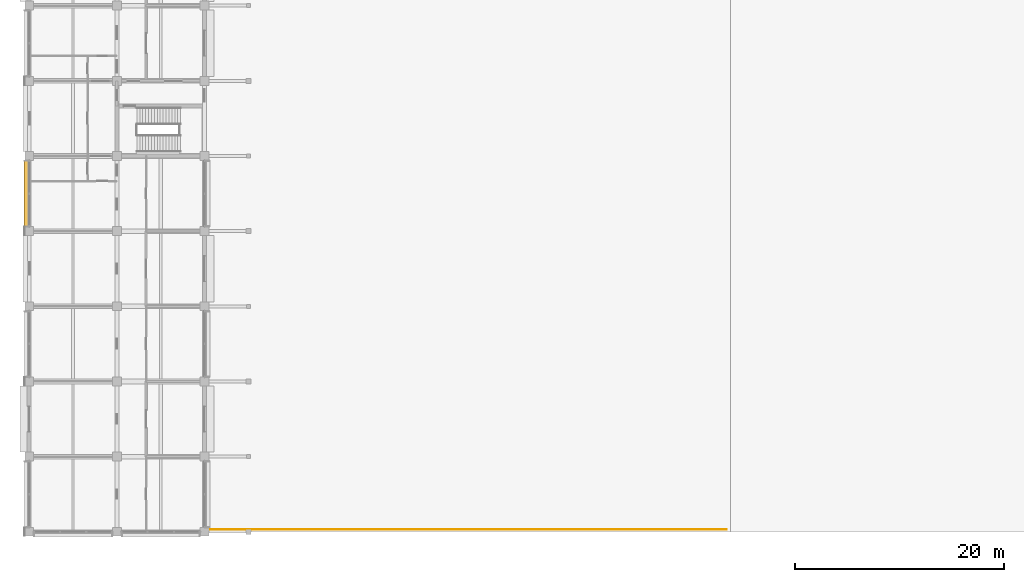
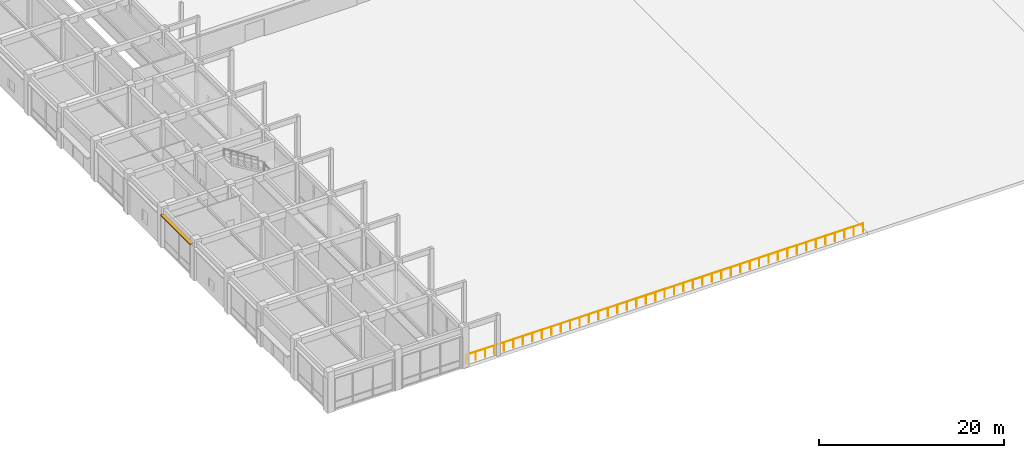
# One storey, part 63 of 73: 1 railing, 1 shading device.
"""IFC4 building model written with IfcOpenShell, lengths in metres."""

from ifc_helpers import new_model, si_unit, direction, frame, origin, origin_2d, place, context, subcontext, project, spatial, rectangle, circle, extrude, material, type_object, element, save


model = new_model("IFC4")

# Units and contexts
model_context = context("Model", 3, precision=1e-05, world=origin(), true_north=direction((0.0, 1.0)))
body_context = subcontext(model_context, "Body", "Model", "MODEL_VIEW")
ifc_project = project(units=[si_unit("LENGTHUNIT", "METRE"), si_unit("AREAUNIT", "SQUARE_METRE"), si_unit("VOLUMEUNIT", "CUBIC_METRE"), si_unit("PLANEANGLEUNIT", "RADIAN"), si_unit("MASSUNIT", "GRAM", prefix="KILO")], contexts=[model_context])

# Site, building, storey
site_placement = place(None, origin())
site = spatial("IfcSite", under=ifc_project, at=site_placement, CompositionType="ELEMENT")
building_placement = place(site_placement, origin())
building = spatial("IfcBuilding", under=site, at=building_placement, Name="Chengyuan Square Courthouse", CompositionType="ELEMENT")
storey_placement = place(building_placement, origin())
storey = spatial("IfcBuildingStorey", under=building, at=storey_placement, Name="L01", CompositionType="ELEMENT", Elevation=0.0)

# Railing
ifc_material_1 = material(Name="Stainless Steel S30408 and Laminated Glass Balustrade", Category="steel")
railing_type = type_object("IfcRailingType", Name="RL-01", PredefinedType="BALUSTRADE", material=ifc_material_1)
railing_placement = place(storey_placement, frame((17.25, 0.219970703125, 0.0)))
element("IfcRailing", 1, at=railing_placement, inside=storey, type_object=railing_type, Name="Civic Forecourt Perimeter Balustrade RL-FC-SW", PredefinedType="BALUSTRADE", context=body_context, shape_type="SweptSolid", body=[
    extrude(circle(Radius=0.02392578125, at=origin_2d()), frame((0.0, 0.0, 1.17578125), z_axis=(1.0, 0.0, 0.0), x_axis=(0.0, 1.0, 0.0)), (0.0, 0.0, 1.0), 49.550048828125),
    extrude(circle(Radius=0.02099609375, at=origin_2d()), origin(), (0.0, 0.0, 1.0), 1.15185546875),
    extrude(circle(Radius=0.02099609375, at=origin_2d()), frame((1.1796875, 0.0, 0.0)), (0.0, 0.0, 1.0), 1.15185546875),
    extrude(circle(Radius=0.02099609375, at=origin_2d()), frame((2.359619140625, 0.0, 0.0)), (0.0, 0.0, 1.0), 1.15185546875),
    extrude(circle(Radius=0.02099609375, at=origin_2d()), frame((3.539306640625, 0.0, 0.0)), (0.0, 0.0, 1.0), 1.15185546875),
    extrude(circle(Radius=0.02099609375, at=origin_2d()), frame((4.718994140625, 0.0, 0.0)), (0.0, 0.0, 1.0), 1.15185546875),
    extrude(circle(Radius=0.02099609375, at=origin_2d()), frame((5.89892578125, 0.0, 0.0)), (0.0, 0.0, 1.0), 1.15185546875),
    extrude(circle(Radius=0.02099609375, at=origin_2d()), frame((7.07861328125, 0.0, 0.0)), (0.0, 0.0, 1.0), 1.15185546875),
    extrude(circle(Radius=0.02099609375, at=origin_2d()), frame((8.25830078125, 0.0, 0.0)), (0.0, 0.0, 1.0), 1.15185546875),
    extrude(circle(Radius=0.02099609375, at=origin_2d()), frame((9.43798828125, 0.0, 0.0)), (0.0, 0.0, 1.0), 1.15185546875),
    extrude(circle(Radius=0.02099609375, at=origin_2d()), frame((10.617919921875, 0.0, 0.0)), (0.0, 0.0, 1.0), 1.15185546875),
    extrude(circle(Radius=0.02099609375, at=origin_2d()), frame((11.797607421875, 0.0, 0.0)), (0.0, 0.0, 1.0), 1.15185546875),
    extrude(circle(Radius=0.02099609375, at=origin_2d()), frame((12.977294921875, 0.0, 0.0)), (0.0, 0.0, 1.0), 1.15185546875),
    extrude(circle(Radius=0.02099609375, at=origin_2d()), frame((14.1572265625, 0.0, 0.0)), (0.0, 0.0, 1.0), 1.15185546875),
    extrude(circle(Radius=0.02099609375, at=origin_2d()), frame((15.3369140625, 0.0, 0.0)), (0.0, 0.0, 1.0), 1.15185546875),
    extrude(circle(Radius=0.02099609375, at=origin_2d()), frame((16.5166015625, 0.0, 0.0)), (0.0, 0.0, 1.0), 1.15185546875),
    extrude(circle(Radius=0.02099609375, at=origin_2d()), frame((17.696533203125, 0.0, 0.0)), (0.0, 0.0, 1.0), 1.15185546875),
    extrude(circle(Radius=0.02099609375, at=origin_2d()), frame((18.876220703125, 0.0, 0.0)), (0.0, 0.0, 1.0), 1.15185546875),
    extrude(circle(Radius=0.02099609375, at=origin_2d()), frame((20.055908203125, 0.0, 0.0)), (0.0, 0.0, 1.0), 1.15185546875),
    extrude(circle(Radius=0.02099609375, at=origin_2d()), frame((21.23583984375, 0.0, 0.0)), (0.0, 0.0, 1.0), 1.15185546875),
    extrude(circle(Radius=0.02099609375, at=origin_2d()), frame((22.41552734375, 0.0, 0.0)), (0.0, 0.0, 1.0), 1.15185546875),
    extrude(circle(Radius=0.02099609375, at=origin_2d()), frame((23.59521484375, 0.0, 0.0)), (0.0, 0.0, 1.0), 1.15185546875),
    extrude(circle(Radius=0.02099609375, at=origin_2d()), frame((24.77490234375, 0.0, 0.0)), (0.0, 0.0, 1.0), 1.15185546875),
    extrude(circle(Radius=0.02099609375, at=origin_2d()), frame((25.954833984375, 0.0, 0.0)), (0.0, 0.0, 1.0), 1.15185546875),
    extrude(circle(Radius=0.02099609375, at=origin_2d()), frame((27.134521484375, 0.0, 0.0)), (0.0, 0.0, 1.0), 1.15185546875),
    extrude(circle(Radius=0.02099609375, at=origin_2d()), frame((28.314208984375, 0.0, 0.0)), (0.0, 0.0, 1.0), 1.15185546875),
    extrude(circle(Radius=0.02099609375, at=origin_2d()), frame((29.494140625, 0.0, 0.0)), (0.0, 0.0, 1.0), 1.15185546875),
    extrude(circle(Radius=0.02099609375, at=origin_2d()), frame((30.673828125, 0.0, 0.0)), (0.0, 0.0, 1.0), 1.15185546875),
    extrude(circle(Radius=0.02099609375, at=origin_2d()), frame((31.853515625, 0.0, 0.0)), (0.0, 0.0, 1.0), 1.15185546875),
    extrude(circle(Radius=0.02099609375, at=origin_2d()), frame((33.033447265625, 0.0, 0.0)), (0.0, 0.0, 1.0), 1.15185546875),
    extrude(circle(Radius=0.02099609375, at=origin_2d()), frame((34.213134765625, 0.0, 0.0)), (0.0, 0.0, 1.0), 1.15185546875),
    extrude(circle(Radius=0.02099609375, at=origin_2d()), frame((35.392822265625, 0.0, 0.0)), (0.0, 0.0, 1.0), 1.15185546875),
    extrude(circle(Radius=0.02099609375, at=origin_2d()), frame((36.57275390625, 0.0, 0.0)), (0.0, 0.0, 1.0), 1.15185546875),
    extrude(circle(Radius=0.02099609375, at=origin_2d()), frame((37.75244140625, 0.0, 0.0)), (0.0, 0.0, 1.0), 1.15185546875),
    extrude(circle(Radius=0.02099609375, at=origin_2d()), frame((38.93212890625, 0.0, 0.0)), (0.0, 0.0, 1.0), 1.15185546875),
    extrude(circle(Radius=0.02099609375, at=origin_2d()), frame((40.112060546875, 0.0, 0.0)), (0.0, 0.0, 1.0), 1.15185546875),
    extrude(circle(Radius=0.02099609375, at=origin_2d()), frame((41.291748046875, 0.0, 0.0)), (0.0, 0.0, 1.0), 1.15185546875),
    extrude(circle(Radius=0.02099609375, at=origin_2d()), frame((42.471435546875, 0.0, 0.0)), (0.0, 0.0, 1.0), 1.15185546875),
    extrude(circle(Radius=0.02099609375, at=origin_2d()), frame((43.651123046875, 0.0, 0.0)), (0.0, 0.0, 1.0), 1.15185546875),
    extrude(circle(Radius=0.02099609375, at=origin_2d()), frame((44.8310546875, 0.0, 0.0)), (0.0, 0.0, 1.0), 1.15185546875),
    extrude(circle(Radius=0.02099609375, at=origin_2d()), frame((46.0107421875, 0.0, 0.0)), (0.0, 0.0, 1.0), 1.15185546875),
    extrude(circle(Radius=0.02099609375, at=origin_2d()), frame((47.1904296875, 0.0, 0.0)), (0.0, 0.0, 1.0), 1.15185546875),
    extrude(circle(Radius=0.02099609375, at=origin_2d()), frame((48.370361328125, 0.0, 0.0)), (0.0, 0.0, 1.0), 1.15185546875),
    extrude(circle(Radius=0.02099609375, at=origin_2d()), frame((49.550048828125, 0.0, 0.0)), (0.0, 0.0, 1.0), 1.15185546875),
])

# Shading device
ifc_material_2 = material(Name="Glulam TCt28 Sunshade Louvre", Category="wood")
shading_device_type = type_object("IfcShadingDeviceType", Name="SHD-02", PredefinedType="AWNING", material=ifc_material_2)
shading_device_placement = place(storey_placement, frame((-0.2919921875, 32.39990234375, 4.30029296875), z_axis=(0.0, 0.0, 1.0), x_axis=(0.0, 1.0, 0.0)))
element("IfcShadingDevice", 2, at=shading_device_placement, inside=storey, type_object=shading_device_type, Name="Glulam Sunshade Louvre SHD-L01-0014", PredefinedType="AWNING", context=body_context, shape_type="SweptSolid", body=[
    extrude(rectangle(XDim=6.35009765625, YDim=0.43994140625, at=origin_2d()), origin(), (0.0, 0.0, 1.0), 0.139892578125),
])

save(model, "model.ifc")
